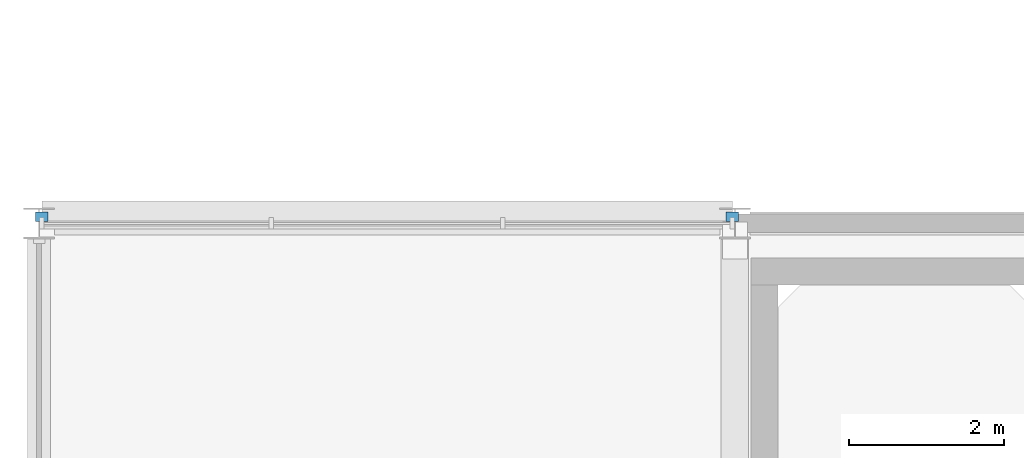
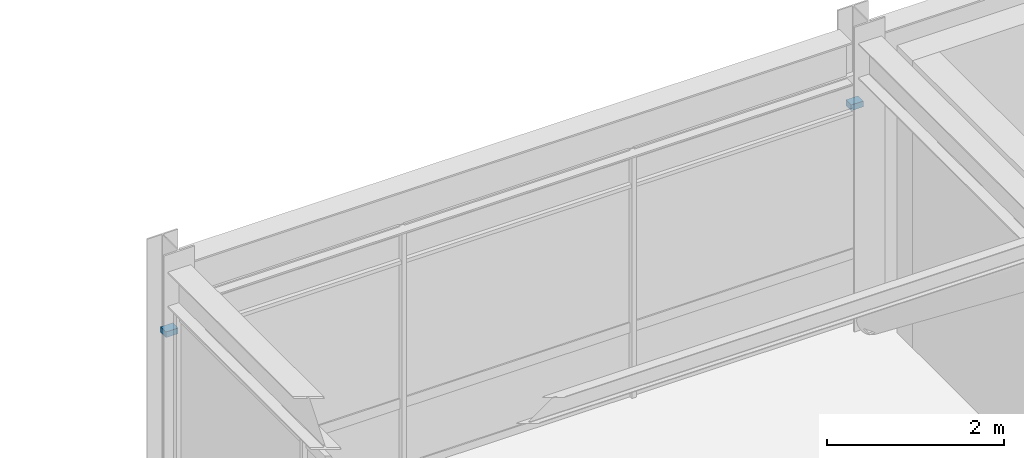
# One storey, part 82 of 105: 2 discrete accessories.
"""IFC4 building model written with IfcOpenShell, lengths in metres."""

from ifc_helpers import new_model, si_unit, direction, frame, origin, origin_2d, place, context, subcontext, project, spatial, rectangle, extrude, material, type_object, element, save


model = new_model("IFC4")

# Units and contexts
model_context = context("Model", 3, precision=1e-05, world=origin(), true_north=direction((0.0, 1.0)))
body_context = subcontext(model_context, "Body", "Model", "MODEL_VIEW")
ifc_project = project(units=[si_unit("LENGTHUNIT", "METRE"), si_unit("AREAUNIT", "SQUARE_METRE"), si_unit("VOLUMEUNIT", "CUBIC_METRE"), si_unit("PLANEANGLEUNIT", "RADIAN"), si_unit("MASSUNIT", "GRAM", prefix="KILO")], contexts=[model_context])

# Site, building, storey
site_placement = place(None, origin())
site = spatial("IfcSite", under=ifc_project, at=site_placement, CompositionType="ELEMENT")
building_placement = place(site_placement, origin())
building = spatial("IfcBuilding", under=site, at=building_placement, Name="Suzunagisa Mobility Hub", CompositionType="ELEMENT")
storey_placement = place(building_placement, frame((0.0, 0.0, 5.10009765625)))
storey = spatial("IfcBuildingStorey", under=building, at=storey_placement, Name="L01", CompositionType="ELEMENT", Elevation=5.10009765625)

# Discrete accessories
ifc_material = material(Name="Stainless Steel SUS316", Category="metal")
discrete_accessory_type = type_object("IfcDiscreteAccessoryType", Name="Stainless Sunshade Outrigger Bracket BRK-01", PredefinedType="BRACKET", material=ifc_material)
for number, where, z_axis, x_axis, name in (
    (1, (8.965576171875, 62.0849609375, 2.8818359375), (0.0, 0.0, 1.0), (-1.0, 0.0, 0.0), "Sunshade Outrigger Bracket BRK-4.1"),
    (2, (0.034423828125, 62.0849609375, 2.8818359375), (0.0, 0.0, 1.0), (-1.0, 0.0, 0.0), "Sunshade Outrigger Bracket BRK-4.2"),
):
    element("IfcDiscreteAccessory", number, at=place(storey_placement, frame(where, z_axis=z_axis, x_axis=x_axis)), inside=storey, type_object=discrete_accessory_type, Name=name, PredefinedType="BRACKET", context=body_context, shape_type="SweptSolid", body=[
        extrude(rectangle(XDim=0.159912109375, YDim=0.1201171875, at=origin_2d()), origin(), (0.0, 0.0, 1.0), 0.080078125),
    ])

save(model, "model.ifc")
